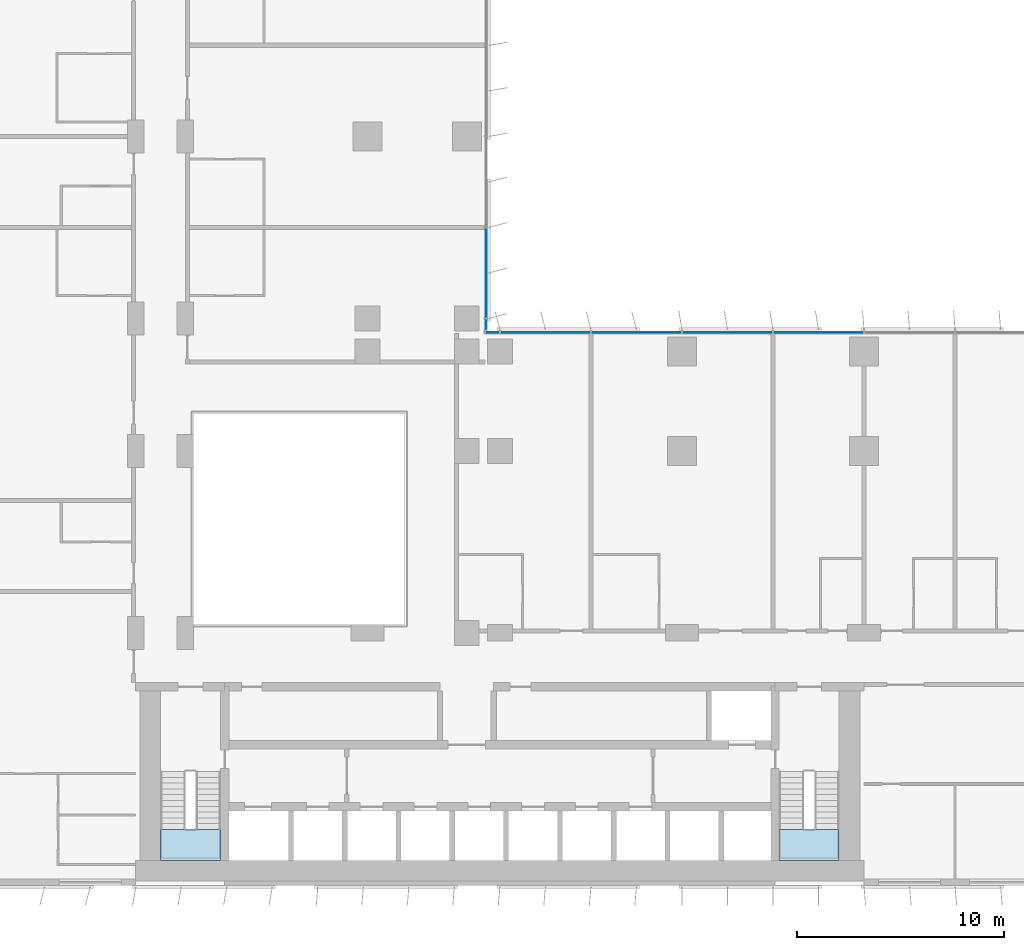
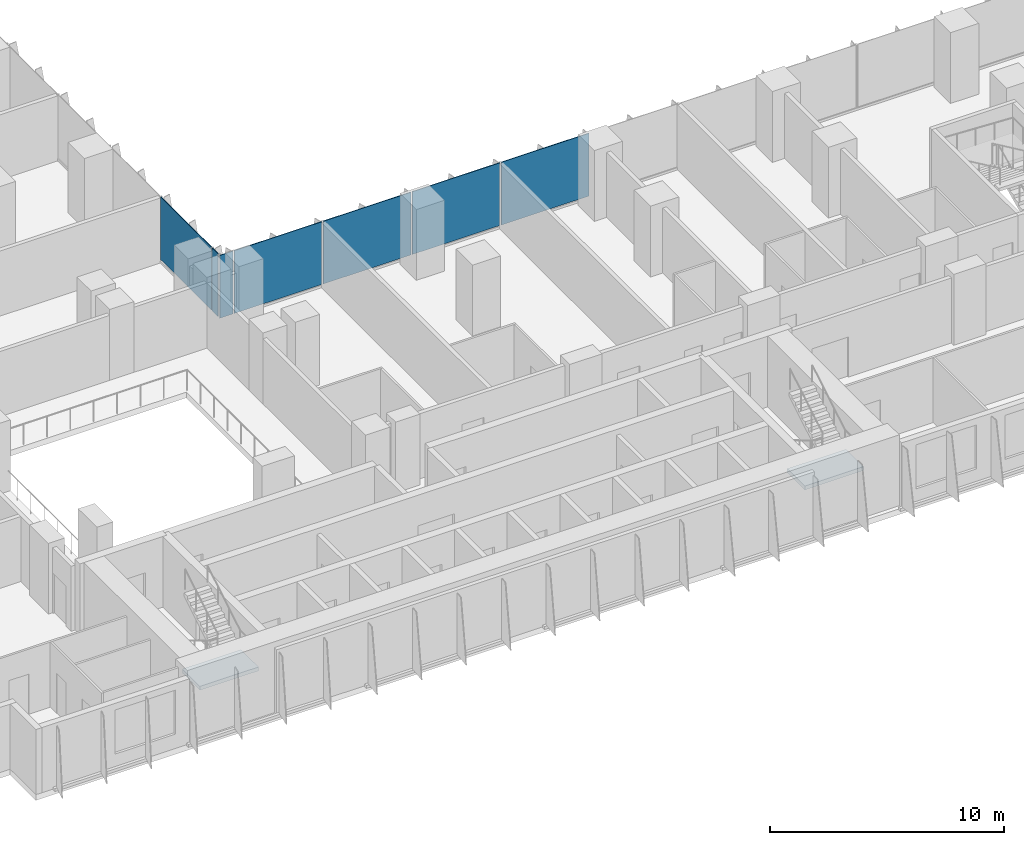
# One storey, part 10 of 24: 7 plates, 2 slabs, 4 elements without a shape of their own.
"""IFC4 building model written with IfcOpenShell, lengths in metres."""

from ifc_helpers import new_model, si_unit, direction, frame, origin, origin_2d, place, context, subcontext, project, spatial, polyline, rectangle, outline, extrude, source, transform, mapped, material, layer, layer_set, type_object, element, aggregate, save


model = new_model("IFC4")

# Units and contexts
model_context = context("Model", 3, precision=1e-05, world=origin(), true_north=direction((0.0, 1.0)))
body_context = subcontext(model_context, "Body", "Model", "MODEL_VIEW")
ifc_project = project(units=[si_unit("LENGTHUNIT", "METRE"), si_unit("AREAUNIT", "SQUARE_METRE"), si_unit("VOLUMEUNIT", "CUBIC_METRE"), si_unit("PLANEANGLEUNIT", "RADIAN"), si_unit("MASSUNIT", "GRAM", prefix="KILO")], contexts=[model_context])

# Site, building, storey
site_placement = place(None, origin())
site = spatial("IfcSite", under=ifc_project, at=site_placement, CompositionType="ELEMENT")
building_placement = place(site_placement, origin())
building = spatial("IfcBuilding", under=site, at=building_placement, Name="Kemantara Hotel Tower", CompositionType="ELEMENT")
storey_placement = place(building_placement, frame((0.0, 0.0, 48.800048828125)))
storey = spatial("IfcBuildingStorey", under=building, at=storey_placement, Name="L10", CompositionType="ELEMENT", Elevation=48.800048828125)

# Stair, slab
ifc_material_1 = material(Name="Concrete fc 40 MPa", Category="concrete")
stair_type = type_object("IfcStairType", Name="Stair 1200 wide 22 risers of 168 x 280 mm", PredefinedType="HALF_TURN_STAIR", material=ifc_material_1)
stair_1_placement = place(storey_placement, origin())
stair_1 = element("IfcStair", 1, at=stair_1_placement, inside=storey, type_object=stair_type, Name="L10 Exit stair ST1", PredefinedType="HALF_TURN_STAIR")
ifc_layer_1 = layer(ifc_material_1, 0.199951171875)
ifc_layer_set_1 = layer_set([ifc_layer_1], Name="Concrete fc 40 MPa")
slab_type = type_object("IfcSlabType", Name="Stair landing 200 mm", PredefinedType="LANDING", material=ifc_layer_set_1)
slab_1_placement = place(storey_placement, frame((0.0, 0.0, 1.64990234375)))
slab_1 = element("IfcSlab", 2, at=slab_1_placement, type_object=slab_type, Name="ST1 landing 1", PredefinedType="LANDING", context=body_context, shape_type="SweptSolid", body=[
    extrude(outline(polyline([(11.0, 2.699951171875), (11.0, 1.199951171875), (13.89990234375, 1.199951171875), (13.89990234375, 2.699951171875), (11.0, 2.699951171875)])), origin(), (0.0, 0.0, 1.0), 0.199951171875),
])
aggregate(stair_1, [slab_1])

stair_2_placement = place(storey_placement, origin())
stair_2 = element("IfcStair", 3, at=stair_2_placement, inside=storey, type_object=stair_type, Name="L10 Exit stair ST2", PredefinedType="HALF_TURN_STAIR")
slab_2_placement = place(storey_placement, frame((0.0, 0.0, 1.64990234375)))
slab_2 = element("IfcSlab", 4, at=slab_2_placement, type_object=slab_type, Name="ST2 landing 1", PredefinedType="LANDING", context=body_context, shape_type="SweptSolid", body=[
    extrude(outline(polyline([(40.89990234375, 2.699951171875), (40.89990234375, 1.199951171875), (43.800048828125, 1.199951171875), (43.800048828125, 2.699951171875), (40.89990234375, 2.699951171875)])), origin(), (0.0, 0.0, 1.0), 0.199951171875),
])
aggregate(stair_2, [slab_2])

# Curtain wall, plates
ifc_material_2 = material(Name="Low-E tinted double insulated glass 36 mm", Category="glass")
curtain_wall_type = type_object("IfcCurtainWallType", Name="TOWER CURTAIN WALL, FRONT FACES", PredefinedType="USERDEFINED", material=ifc_material_2)
curtain_wall_1_placement = place(storey_placement, origin())
curtain_wall_1 = element("IfcCurtainWall", 5, at=curtain_wall_1_placement, inside=storey, type_object=curtain_wall_type, Name="CW4 L10 T1-R07-1", ObjectType="TOWER CURTAIN WALL, FRONT FACES", PredefinedType="USERDEFINED")
ifc_layer_2 = layer(ifc_material_2, 0.035888671875)
ifc_layer_set_2 = layer_set([ifc_layer_2], Name="Low-E tinted double insulated glass 36 mm")
plate_type = type_object("IfcPlateType", Name="TOWER CURTAIN WALL, FRONT FACES PANEL", PredefinedType="CURTAIN_PANEL", material=ifc_layer_set_2)
shared_shape_1 = source(origin(), body_context, "Body", "SweptSolid", [
    extrude(rectangle(XDim=4.340087890625, YDim=0.035888671875, at=origin_2d()), origin(), (0.0, 0.0, 1.0), 3.280029296875),
])
plate_1_placement = place(storey_placement, frame((42.800048828125, 26.72509765625, 0.1201171875), z_axis=(0.0, 0.0, 1.0), x_axis=(-1.0, 0.0, 0.0)))
plate_1 = element("IfcPlate", 6, at=plate_1_placement, type_object=plate_type, Name="CW4 glass panel T1-R07-1.9", PredefinedType="CURTAIN_PANEL", context=body_context, shape_type="MappedRepresentation", body=[
    mapped(shared_shape_1, transform((0.0, 0.0, 0.0))),
])
plate_2_placement = place(storey_placement, frame((38.39990234375, 26.72509765625, 0.1201171875), z_axis=(0.0, 0.0, 1.0), x_axis=(-1.0, 0.0, 0.0)))
plate_2 = element("IfcPlate", 7, at=plate_2_placement, type_object=plate_type, Name="CW4 glass panel T1-R07-1.10", PredefinedType="CURTAIN_PANEL", context=body_context, shape_type="MappedRepresentation", body=[
    mapped(shared_shape_1, transform((0.0, 0.0, 0.0))),
])
plate_3_placement = place(storey_placement, frame((34.0, 26.72509765625, 0.1201171875), z_axis=(0.0, 0.0, 1.0), x_axis=(-1.0, 0.0, 0.0)))
plate_3 = element("IfcPlate", 8, at=plate_3_placement, type_object=plate_type, Name="CW4 glass panel T1-R07-1.11", PredefinedType="CURTAIN_PANEL", context=body_context, shape_type="MappedRepresentation", body=[
    mapped(shared_shape_1, transform((0.0, 0.0, 0.0))),
])
plate_4_placement = place(storey_placement, frame((29.60009765625, 26.72509765625, 0.1201171875), z_axis=(0.0, 0.0, 1.0), x_axis=(-1.0, 0.0, 0.0)))
plate_4 = element("IfcPlate", 9, at=plate_4_placement, type_object=plate_type, Name="CW4 glass panel T1-R07-1.12", PredefinedType="CURTAIN_PANEL", context=body_context, shape_type="MappedRepresentation", body=[
    mapped(shared_shape_1, transform((0.0, 0.0, 0.0))),
])

# Curtain wall, plate
curtain_wall_2_placement = place(storey_placement, origin())
curtain_wall_2 = element("IfcCurtainWall", 10, at=curtain_wall_2_placement, inside=storey, type_object=curtain_wall_type, Name="CW4 L10 T1-R08-1", ObjectType="TOWER CURTAIN WALL, FRONT FACES", PredefinedType="USERDEFINED")
plate_5_placement = place(storey_placement, frame((26.72509765625, 29.60009765625, 0.1201171875), z_axis=(0.0, 0.0, 1.0), x_axis=(0.0, 1.0, 0.0)))
plate_5 = element("IfcPlate", 11, at=plate_5_placement, type_object=plate_type, Name="CW4 glass panel T1-R08-1.2", PredefinedType="CURTAIN_PANEL", context=body_context, shape_type="MappedRepresentation", body=[
    mapped(shared_shape_1, transform((0.0, 0.0, 0.0))),
])

# Plate
shared_shape_2 = source(origin(), body_context, "Body", "SweptSolid", [
    extrude(rectangle(XDim=0.659912109375, YDim=0.035888671875, at=origin_2d()), origin(), (0.0, 0.0, 1.0), 3.280029296875),
])
plate_6_placement = place(storey_placement, frame((27.0400390625, 26.72509765625, 0.1201171875), z_axis=(0.0, 0.0, 1.0), x_axis=(-1.0, 0.0, 0.0)))
plate_6 = element("IfcPlate", 12, at=plate_6_placement, type_object=plate_type, Name="CW4 glass panel T1-R07-1.13", PredefinedType="CURTAIN_PANEL", context=body_context, shape_type="MappedRepresentation", body=[
    mapped(shared_shape_2, transform((0.0, 0.0, 0.0))),
])

aggregate(curtain_wall_1, [plate_1, plate_2, plate_3, plate_4, plate_6])

shared_shape_3 = source(origin(), body_context, "Body", "SweptSolid", [
    extrude(rectangle(XDim=0.510009765625, YDim=0.035888671875, at=origin_2d()), origin(), (0.0, 0.0, 1.0), 3.280029296875),
])
plate_7_placement = place(storey_placement, frame((26.72509765625, 27.114990234375, 0.1201171875), z_axis=(0.0, 0.0, 1.0), x_axis=(0.0, 1.0, 0.0)))
plate_7 = element("IfcPlate", 13, at=plate_7_placement, type_object=plate_type, Name="CW4 glass panel T1-R08-1.1", PredefinedType="CURTAIN_PANEL", context=body_context, shape_type="MappedRepresentation", body=[
    mapped(shared_shape_3, transform((0.0, 0.0, 0.0))),
])

aggregate(curtain_wall_2, [plate_7, plate_5])

save(model, "model.ifc")
